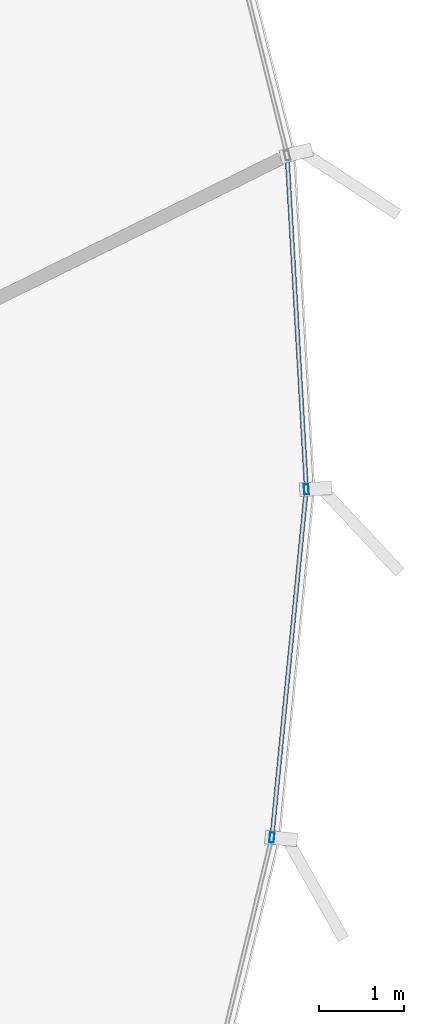
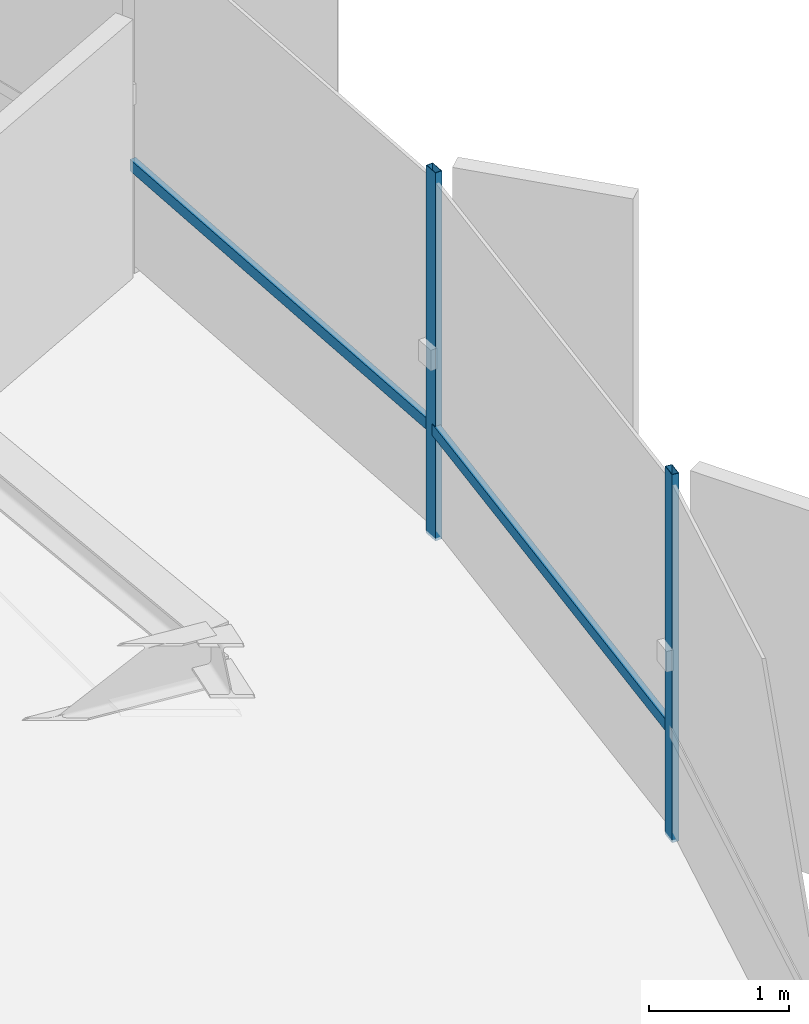
# One storey, part 17 of 33: 4 members, 1 element without a shape of its own.
"""IFC4 building model written with IfcOpenShell, lengths in metres."""

from ifc_helpers import new_model, si_unit, direction, frame, origin, origin_2d, place, context, subcontext, project, spatial, hollow_rectangle, extrude, source, transform, mapped, material, layer, layer_set, material_profile, profile_set, type_object, element, aggregate, save


model = new_model("IFC4")

# Units and contexts
model_context = context("Model", 3, precision=1e-05, world=origin(), true_north=direction((0.0, 1.0)))
body_context = subcontext(model_context, "Body", "Model", "MODEL_VIEW")
ifc_project = project(units=[si_unit("LENGTHUNIT", "METRE"), si_unit("AREAUNIT", "SQUARE_METRE"), si_unit("VOLUMEUNIT", "CUBIC_METRE"), si_unit("PLANEANGLEUNIT", "RADIAN"), si_unit("MASSUNIT", "GRAM", prefix="KILO"), si_unit("THERMODYNAMICTEMPERATUREUNIT", "KELVIN")], contexts=[model_context])

# Site, building, storey
site_placement = place(None, origin())
site = spatial("IfcSite", under=ifc_project, at=site_placement, CompositionType="ELEMENT")
building_placement = place(site_placement, origin())
building = spatial("IfcBuilding", under=site, at=building_placement, Name="Kethvar Cultural Tower", CompositionType="ELEMENT")
storey_placement = place(building_placement, frame((0.0, 0.0, 235.300048828125)))
storey = spatial("IfcBuildingStorey", under=building, at=storey_placement, Name="L61", CompositionType="ELEMENT", Elevation=235.300048828125)

# Curtain wall, members
ifc_material = material(Name="Aluminium 6063-T6", Category="aluminium")
ifc_layer = layer(ifc_material, 0.179931640625, Name="Aluminium 6063-T6", Category="aluminium")
ifc_layer_set = layer_set([ifc_layer], Name="Aluminium 6063-T6 (180 mm)")
curtain_wall_type = type_object("IfcCurtainWallType", Name="CW-SYS-05-Z56", PredefinedType="NOTDEFINED", material=ifc_layer_set)
curtain_wall_placement = place(storey_placement, origin())
curtain_wall = element("IfcCurtainWall", 1, at=curtain_wall_placement, inside=storey, type_object=curtain_wall_type, Name="L61 Curtain Wall Run 06", PredefinedType="NOTDEFINED")
ifc_material_profile_1 = material_profile(ifc_material, hollow_rectangle(XDim=0.054931640625, YDim=0.1201171875, WallThickness=0.00390625, at=origin_2d()), Name="Aluminium 6063-T6 — RHS120x55x4")
ifc_profile_set_1 = profile_set([ifc_material_profile_1], Name="Aluminium 6063-T6 — RHS120x55x4")
member_type_1 = type_object("IfcMemberType", Name="CW-SYS-05-Z56-MUL", PredefinedType="MULLION", material=ifc_profile_set_1)
shared_shape_1 = source(origin(), body_context, "Body", "SweptSolid", [
    extrude(hollow_rectangle(XDim=0.054931640625, YDim=0.1201171875, WallThickness=0.00390625, at=origin_2d()), origin(), (0.0, 0.0, 1.0), 3.2099609375),
])
member_1_placement = place(storey_placement, frame((68.258544921875, 30.41015625, 0.0), z_axis=(0.0, 0.0, 1.0), x_axis=(-0.99515731632, 0.098295044506, 0.0)))
member_1 = element("IfcMember", 2, at=member_1_placement, type_object=member_type_1, Name="CW-L61-R06 Mullion 2", PredefinedType="MULLION", context=body_context, shape_type="MappedRepresentation", body=[
    mapped(shared_shape_1, transform((0.0, 0.0, 0.0), scale=1.0)),
])
member_2_placement = place(storey_placement, frame((68.6650390625, 34.513916015625, 0.0), z_axis=(0.0, 0.0, 1.0), x_axis=(-0.99833175459, -0.0577382696, 0.0)))
member_2 = element("IfcMember", 3, at=member_2_placement, type_object=member_type_1, Name="CW-L61-R06 Mullion 3", PredefinedType="MULLION", context=body_context, shape_type="MappedRepresentation", body=[
    mapped(shared_shape_1, transform((0.0, 0.0, 0.0), scale=1.0)),
])
ifc_material_profile_2 = material_profile(ifc_material, hollow_rectangle(XDim=0.050048828125, YDim=0.10009765625, WallThickness=0.00390625, at=origin_2d()), Name="Aluminium 6063-T6 — RHS100x50x4")
ifc_profile_set_2 = profile_set([ifc_material_profile_2], Name="Aluminium 6063-T6 — RHS100x50x4")
member_type_2 = type_object("IfcMemberType", Name="CW-SYS-05-Z56-TRN", PredefinedType="USERDEFINED", material=ifc_profile_set_2)
shared_shape_2 = source(origin(), body_context, "Body", "SweptSolid", [
    extrude(hollow_rectangle(XDim=0.050048828125, YDim=0.10009765625, WallThickness=0.00390625, at=origin_2d()), origin(), (0.0, 0.0, 1.0), 4.06005859375),
])
member_3_placement = place(storey_placement, frame((68.262451171875, 30.44970703125, 0.949951171875), z_axis=(0.098318833161, 0.995154966347, 0.0), x_axis=(-0.995154966347, 0.098318833161, 0.0)))
member_3 = element("IfcMember", 4, at=member_3_placement, type_object=member_type_2, Name="CW-L61-R06 Transom 2", ObjectType="TRANSOM", PredefinedType="USERDEFINED", context=body_context, shape_type="MappedRepresentation", body=[
    mapped(shared_shape_2, transform((0.0, 0.0, 0.0), scale=1.0)),
])
shared_shape_3 = source(origin(), body_context, "Body", "SweptSolid", [
    extrude(hollow_rectangle(XDim=0.050048828125, YDim=0.10009765625, WallThickness=0.00390625, at=origin_2d()), origin(), (0.0, 0.0, 1.0), 3.880126953125),
])
member_4_placement = place(storey_placement, frame((68.662841796875, 34.553466796875, 0.949951171875), z_axis=(-0.0577629673, 0.998330325899, 0.0), x_axis=(-0.998330325899, -0.0577629673, 0.0)))
member_4 = element("IfcMember", 5, at=member_4_placement, type_object=member_type_2, Name="CW-L61-R06 Transom 3", ObjectType="TRANSOM", PredefinedType="USERDEFINED", context=body_context, shape_type="MappedRepresentation", body=[
    mapped(shared_shape_3, transform((0.0, 0.0, 0.0), scale=1.0)),
])
aggregate(curtain_wall, [member_1, member_2, member_3, member_4])

save(model, "model.ifc")
